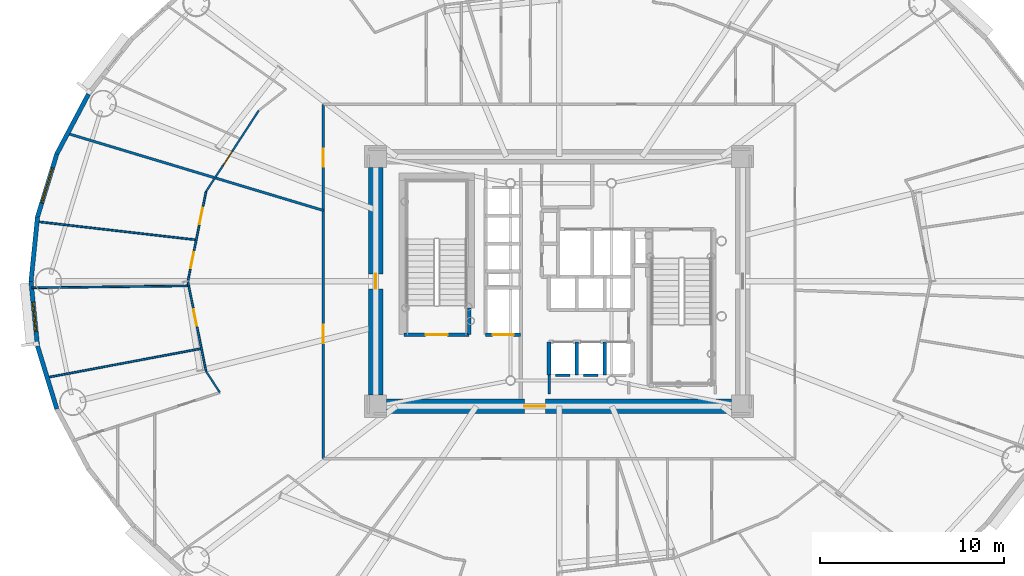
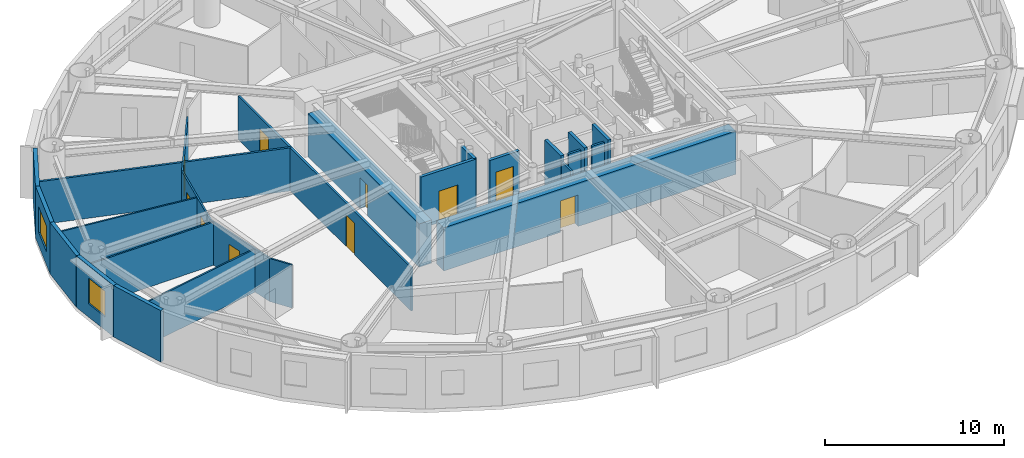
# One storey, part 9 of 19: 26 walls, 10 doors, 2 windows, 12 openings.
"""IFC4 building model written with IfcOpenShell, lengths in metres."""

import ifcopenshell
import ifcopenshell.guid

model = None  # the IFC model being written
_history = None  # IfcOwnerHistory: only IFC2X3 demands one
_inside = {}  # id of a spatial element -> (the spatial element, [elements in it])
_under = {}  # id of a project, library or spatial element -> (it, [spatial elements below it])
_declared = {}  # id of a project -> (the project, [libraries it declares])
_typed = {}  # id of a type object -> (the type object, [elements of that type])
_made_of = {}  # id of a material, layer set ... -> (it, [elements and type objects made of it])


def new_model(schema):
    """Start an empty IFC model of exactly this schema.

    Asked for "IFC4X3", IfcOpenShell would pick the latest addendum, in which some entities
    have other attributes; the version numbers below select the first issue.
    IFC2X3 requires an IfcOwnerHistory on every rooted entity: one is made here for all.
    """
    global model, _history
    if schema == "IFC4X3":
        model = ifcopenshell.file(schema_version=(4, 3, 0, 0))
    else:
        model = ifcopenshell.file(schema=schema)
    _inside.clear()
    _under.clear()
    _declared.clear()
    _typed.clear()
    _made_of.clear()
    _history = None
    if model.schema == "IFC2X3":
        org = make("IfcOrganization", Name="unknown")
        user = make(
            "IfcPersonAndOrganization",
            ThePerson=make("IfcPerson", FamilyName="unknown"),
            TheOrganization=org,
        )
        app = make(
            "IfcApplication",
            ApplicationDeveloper=org,
            Version="unknown",
            ApplicationFullName="unknown",
            ApplicationIdentifier="unknown",
        )
        _history = make(
            "IfcOwnerHistory",
            OwningUser=user,
            OwningApplication=app,
            ChangeAction="ADDED",
            CreationDate=0,
        )
    return model


def make(cls, **values):
    """One entity of the class cls with the attributes given. An attribute that is None is left unset."""
    return model.create_entity(
        cls, **{name: value for name, value in values.items() if value is not None}
    )


def rooted(cls, **values):
    """An entity with a GlobalId (a new one), such as an element, a storey or a relation."""
    return make(cls, GlobalId=ifcopenshell.guid.new(), OwnerHistory=_history, **values)


def si_unit(unit_type, name, prefix=None):
    """IfcSIUnit, for example si_unit("LENGTHUNIT", "METRE", prefix="MILLI")."""
    return make("IfcSIUnit", UnitType=unit_type, Prefix=prefix, Name=name)


def assignment(units):
    """IfcUnitAssignment: the units of a project."""
    return None if units is None else make("IfcUnitAssignment", Units=units)


def point(xyz):
    """IfcCartesianPoint."""
    return None if xyz is None else make("IfcCartesianPoint", Coordinates=xyz)


def direction(xyz):
    """IfcDirection."""
    return None if xyz is None else make("IfcDirection", DirectionRatios=xyz)


def frame(location, z_axis=None, x_axis=None):
    """IfcAxis2Placement3D, a coordinate frame: its origin and axes. An axis left out is left unset."""
    return make(
        "IfcAxis2Placement3D",
        Location=point(location),
        Axis=direction(z_axis),
        RefDirection=direction(x_axis),
    )


def frame_2d(location, x_axis=None):
    """IfcAxis2Placement2D, a coordinate frame in the plane: its origin and x axis."""
    return make(
        "IfcAxis2Placement2D", Location=point(location), RefDirection=direction(x_axis)
    )


def origin():
    """The frame at (0, 0, 0) with its axes left unset."""
    return frame((0.0, 0.0, 0.0))


def origin_2d():
    """The frame at (0, 0) in the plane with its x axis left unset."""
    return frame_2d((0.0, 0.0))


def place(relative_to, where):
    """IfcLocalPlacement: puts the frame where relative to a parent placement (None: the world)."""
    return make(
        "IfcLocalPlacement", PlacementRelTo=relative_to, RelativePlacement=where
    )


def context(
    kind, dimensions, precision=None, world=None, true_north=None, identifier=None
):
    """IfcGeometricRepresentationContext, for example the 3D "Model" context."""
    return make(
        "IfcGeometricRepresentationContext",
        ContextIdentifier=identifier,
        ContextType=kind,
        CoordinateSpaceDimension=dimensions,
        Precision=precision,
        WorldCoordinateSystem=world,
        TrueNorth=true_north,
    )


def subcontext(parent, identifier, kind, view, scale=None):
    """IfcGeometricRepresentationSubContext, for example "Body" below "Model"."""
    return make(
        "IfcGeometricRepresentationSubContext",
        ContextIdentifier=identifier,
        ContextType=kind,
        ParentContext=parent,
        TargetScale=scale,
        TargetView=view,
    )


def project(units=None, contexts=None):
    """IfcProject with its units and contexts."""
    return rooted(
        "IfcProject",
        Name="project",
        RepresentationContexts=contexts,
        UnitsInContext=assignment(units),
    )


def spatial(cls, under=None, at=None, **own):
    """A site, building, storey or space (cls), placed at a placement, below another one or the project."""
    s = rooted(cls, ObjectPlacement=at, **own)
    if under is not None:
        _under.setdefault(under.id(), (under, []))[1].append(s)
    return s


def profile(cls, at=None, kind="AREA", **sizes):
    """A parametric profile (cls). Its sizes go by their IFC names, for example OverallWidth=200.0."""
    return make(cls, ProfileType=kind, Position=at, **sizes)


def rectangle(**sizes):
    """IfcRectangleProfileDef."""
    return profile("IfcRectangleProfileDef", **sizes)


def extrude(swept, where, along, depth):
    """IfcExtrudedAreaSolid: the profile swept, set in the frame where, extruded along a direction by depth."""
    return make(
        "IfcExtrudedAreaSolid",
        SweptArea=swept,
        Position=where,
        ExtrudedDirection=direction(along),
        Depth=depth,
    )


def shape(context_of_items, identifier, shape_type, items):
    """IfcShapeRepresentation: the items that make up one representation, for example the "Body"."""
    return make(
        "IfcShapeRepresentation",
        ContextOfItems=context_of_items,
        RepresentationIdentifier=identifier,
        RepresentationType=shape_type,
        Items=items,
    )


def source(mapping_origin, context_of_items, identifier, shape_type, items):
    """IfcRepresentationMap: a shape defined once, which mapped items show again and again."""
    return make(
        "IfcRepresentationMap",
        MappingOrigin=mapping_origin,
        MappedRepresentation=shape(context_of_items, identifier, shape_type, items),
    )


def transform(
    local_origin,
    x_axis=None,
    y_axis=None,
    z_axis=None,
    scale=None,
    scale2=None,
    scale3=None,
    uniform=True,
):
    """IfcCartesianTransformationOperator3D, or its non-uniform kind. x_axis, y_axis, z_axis: its Axis1, 2, 3."""
    if uniform:
        return make(
            "IfcCartesianTransformationOperator3D",
            Axis1=direction(x_axis),
            Axis2=direction(y_axis),
            LocalOrigin=point(local_origin),
            Scale=scale,
            Axis3=direction(z_axis),
        )
    return make(
        "IfcCartesianTransformationOperator3DnonUniform",
        Axis1=direction(x_axis),
        Axis2=direction(y_axis),
        LocalOrigin=point(local_origin),
        Scale=scale,
        Axis3=direction(z_axis),
        Scale2=scale2,
        Scale3=scale3,
    )


def mapped(mapping_source, mapping_target):
    """IfcMappedItem: shows the shape of a source again, moved by a transform."""
    return make(
        "IfcMappedItem", MappingSource=mapping_source, MappingTarget=mapping_target
    )


def material(Name=None, Category=None):
    """IfcMaterial."""
    return make("IfcMaterial", Name=Name, Category=Category)


def layer(
    of_material, thickness, ventilated=None, Name=None, Category=None, Priority=None
):
    """IfcMaterialLayer: one layer of a wall or slab, of a material (None: an air gap)."""
    return make(
        "IfcMaterialLayer",
        Material=of_material,
        LayerThickness=thickness,
        IsVentilated=ventilated,
        Name=Name,
        Category=Category,
        Priority=Priority,
    )


def layer_set(layers, Name=None):
    """IfcMaterialLayerSet."""
    return make("IfcMaterialLayerSet", MaterialLayers=layers, LayerSetName=Name)


def made_of(thing, what):
    """Note that an element or type object is made of a material, layer set ...; save() writes the relation."""
    if what is not None:
        _made_of.setdefault(what.id(), (what, []))[1].append(thing)
    return thing


def type_object(cls, material=None, **own):
    """A type object (cls), such as IfcWallType, which elements share."""
    return made_of(rooted(cls, **own), material)


def element(
    cls,
    number,
    at=None,
    inside=None,
    cuts=None,
    type_object=None,
    material=None,
    context=None,
    identifier="Body",
    shape_type=None,
    held_by="IfcProductDefinitionShape",
    body=None,
    shapes=None,
    **own,
):
    """One element of the class cls, such as IfcWall. Its Tag is "e" and its number.

    at: its placement. inside: the storey or other place that contains it. cuts: it is an
    opening in that element (IfcRelVoidsElement). A single representation is given by context,
    identifier, shape_type and body (its items); several are given by shapes. held_by: the class
    of the entity that holds the representations. save() writes the other relations.
    """
    e = rooted(cls, Tag="e%d" % number, ObjectPlacement=at, **own)
    if body is not None:
        shapes = [shape(context, identifier, shape_type, body)]
    if shapes is not None:
        e.Representation = make(held_by, Representations=shapes)
    if inside is not None:
        _inside.setdefault(inside.id(), (inside, []))[1].append(e)
    if cuts is not None:
        rooted(
            "IfcRelVoidsElement", RelatingBuildingElement=cuts, RelatedOpeningElement=e
        )
    if type_object is not None:
        _typed.setdefault(type_object.id(), (type_object, []))[1].append(e)
    return made_of(e, material)


def fill(opening, filler):
    """IfcRelFillsElement: the door or window that sits in an opening."""
    return rooted(
        "IfcRelFillsElement",
        RelatingOpeningElement=opening,
        RelatedBuildingElement=filler,
    )


def aggregate(whole, parts):
    """IfcRelAggregates: a whole, such as a stair, and the parts it consists of."""
    return rooted("IfcRelAggregates", RelatingObject=whole, RelatedObjects=parts)


def save(model, path):
    """Write the relations noted so far, then the file.

    IfcRelAggregates (storeys below a building ...), IfcRelContainedInSpatialStructure (elements
    in a storey), IfcRelDefinesByType, IfcRelAssociatesMaterial and IfcRelDeclares: one each for
    every whole, place, type object, material and project.
    """
    for whole, parts in _under.values():
        aggregate(whole, parts)
    for where, things in _inside.values():
        rooted(
            "IfcRelContainedInSpatialStructure",
            RelatedElements=things,
            RelatingStructure=where,
        )
    for kind, things in _typed.values():
        rooted("IfcRelDefinesByType", RelatedObjects=things, RelatingType=kind)
    for what, things in _made_of.values():
        rooted("IfcRelAssociatesMaterial", RelatedObjects=things, RelatingMaterial=what)
    for by, libraries in _declared.values():
        rooted("IfcRelDeclares", RelatingContext=by, RelatedDefinitions=libraries)
    model.write(path)


model = new_model("IFC4")

# Units and contexts
model_context = context("Model", 3, precision=1e-05, world=origin(), true_north=direction((0.0, 1.0)))
body_context = subcontext(model_context, "Body", "Model", "MODEL_VIEW")
ifc_project = project(units=[si_unit("LENGTHUNIT", "METRE"), si_unit("AREAUNIT", "SQUARE_METRE"), si_unit("VOLUMEUNIT", "CUBIC_METRE"), si_unit("PLANEANGLEUNIT", "RADIAN"), si_unit("MASSUNIT", "GRAM", prefix="KILO")], contexts=[model_context])

# Site, building, storey
site_placement = place(None, origin())
site = spatial("IfcSite", under=ifc_project, at=site_placement, CompositionType="ELEMENT")
building_placement = place(site_placement, origin())
building = spatial("IfcBuilding", under=site, at=building_placement, Name="Linh Dai School and Residence Tower", CompositionType="ELEMENT")
storey_placement = place(building_placement, frame((0.0, 0.0, 112.199951171875)))
storey = spatial("IfcBuildingStorey", under=building, at=storey_placement, Name="L26", CompositionType="ELEMENT", Elevation=112.199951171875)

# Wall
ifc_material_1 = material(Name="Precast Concrete B45 (C35/45)", Category="concrete")
ifc_layer_1 = layer(ifc_material_1, 0.239990234375)
ifc_layer_set_1 = layer_set([ifc_layer_1], Name="Precast Concrete B45 (C35/45)")
wall_type_1 = type_object("IfcWallType", Name="EW-TC-240", PredefinedType="SOLIDWALL", material=ifc_layer_set_1)
wall_1_placement = place(storey_placement, frame((8.6298828125, 33.945068359375, 0.0), z_axis=(0.0, 0.0, 1.0), x_axis=(0.467614004126, 0.883932770716, 0.0)))
element("IfcWall", 1, at=wall_1_placement, inside=storey, type_object=wall_type_1, Name="L26 Terracotta Exterior Wall 18", PredefinedType="SOLIDWALL", context=body_context, shape_type="SweptSolid", body=[
    extrude(rectangle(XDim=3.688720703125, YDim=0.239990234375, at=frame_2d((1.84423828125, 0.0))), origin(), (0.0, 0.0, 1.0), 3.5),
])

# Wall, opening, window
wall_2_placement = place(storey_placement, frame((7.578369140625, 30.515380859375, 0.0), z_axis=(0.0, 0.0, 1.0), x_axis=(0.293124431344, 0.956074300329, 0.0)))
wall_2 = element("IfcWall", 2, at=wall_2_placement, inside=storey, type_object=wall_type_1, Name="L26 Terracotta Exterior Wall 19", PredefinedType="SOLIDWALL", context=body_context, shape_type="SweptSolid", body=[
    extrude(rectangle(XDim=3.587158203125, YDim=0.239990234375, at=frame_2d((1.79345703125, 0.0))), origin(), (0.0, 0.0, 1.0), 3.5),
])
opening_1_placement = place(wall_2_placement, frame((0.793701171875, 0.0, 0.89990234375)))
opening_1 = element("IfcOpeningElement", 3, at=opening_1_placement, cuts=wall_2, Name="Opening W1", PredefinedType="OPENING", context=body_context, shape_type="SweptSolid", body=[
    extrude(rectangle(XDim=2.0, YDim=1.75, at=origin_2d()), frame((1.0, 0.1298828125, 0.875), z_axis=(0.0, -1.0, 0.0), x_axis=(1.0, 0.0, 0.0)), (0.0, 0.0, 1.0), 0.260009765625),
])
ifc_material_2 = material(Name="Double Low-E Insulated Glazing", Category="glass")
window_type_1 = type_object("IfcWindowType", Name="WN-RES-2000x1750", PartitioningType="DOUBLE_PANEL_VERTICAL", PredefinedType="WINDOW", material=ifc_material_2)
shared_shape_1 = source(origin(), body_context, "Body", "SweptSolid", [
    extrude(rectangle(XDim=2.0, YDim=1.75, at=origin_2d()), frame((1.0, 0.030029296875, 0.875), z_axis=(0.0, -1.0, 0.0), x_axis=(1.0, 0.0, 0.0)), (0.0, 0.0, 1.0), 0.06005859375),
])
window_1_placement = place(opening_1_placement, origin())
window_1 = element("IfcWindow", 4, at=window_1_placement, inside=storey, type_object=window_type_1, Name="L26 Exterior Window 19.1", OverallHeight=1.75, OverallWidth=2.0, PartitioningType="DOUBLE_PANEL_VERTICAL", PredefinedType="WINDOW", context=body_context, shape_type="MappedRepresentation", body=[
    mapped(shared_shape_1, transform((0.0, 0.0, 0.0), x_axis=(1.0, 0.0, 0.0), y_axis=(0.0, 1.0, 0.0), z_axis=(0.0, 0.0, 1.0), scale=1.0)),
])
fill(opening_1, window_1)

# Wall
wall_3_placement = place(storey_placement, frame((7.22509765625, 27.0, 0.0), z_axis=(0.0, 0.0, 1.0), x_axis=(0.099989468229, 0.994988495533, 0.0)))
element("IfcWall", 5, at=wall_3_placement, inside=storey, type_object=wall_type_1, Name="L26 Terracotta Exterior Wall 20", PredefinedType="SOLIDWALL", context=body_context, shape_type="SweptSolid", body=[
    extrude(rectangle(XDim=3.533203125, YDim=0.239990234375, at=frame_2d((1.7666015625, 0.0))), origin(), (0.0, 0.0, 1.0), 3.5),
])

# Wall, opening, window
wall_4_placement = place(storey_placement, frame((7.578369140625, 23.484619140625, 0.0), z_axis=(0.0, 0.0, 1.0), x_axis=(-0.099989468229, 0.994988495533, 0.0)))
wall_4 = element("IfcWall", 6, at=wall_4_placement, inside=storey, type_object=wall_type_1, Name="L26 Terracotta Exterior Wall 21", PredefinedType="SOLIDWALL", context=body_context, shape_type="SweptSolid", body=[
    extrude(rectangle(XDim=3.533203125, YDim=0.239990234375, at=frame_2d((1.7666015625, 0.0))), origin(), (0.0, 0.0, 1.0), 3.5),
])
opening_2_placement = place(wall_4_placement, frame((0.7939453125, 0.0, 0.89990234375)))
opening_2 = element("IfcOpeningElement", 7, at=opening_2_placement, cuts=wall_4, Name="Opening W2", PredefinedType="OPENING", context=body_context, shape_type="SweptSolid", body=[
    extrude(rectangle(XDim=1.60009765625, YDim=1.75, at=origin_2d()), frame((0.800048828125, 0.1298828125, 0.875), z_axis=(0.0, -1.0, 0.0), x_axis=(1.0, 0.0, 0.0)), (0.0, 0.0, 1.0), 0.260009765625),
])
window_type_2 = type_object("IfcWindowType", Name="WN-RES-1600x1750", PartitioningType="DOUBLE_PANEL_VERTICAL", PredefinedType="WINDOW", material=ifc_material_2)
shared_shape_2 = source(origin(), body_context, "Body", "SweptSolid", [
    extrude(rectangle(XDim=1.60009765625, YDim=1.75, at=origin_2d()), frame((0.800048828125, 0.030029296875, 0.875), z_axis=(0.0, -1.0, 0.0), x_axis=(1.0, 0.0, 0.0)), (0.0, 0.0, 1.0), 0.06005859375),
])
window_2_placement = place(opening_2_placement, origin())
window_2 = element("IfcWindow", 8, at=window_2_placement, inside=storey, type_object=window_type_2, Name="L26 Exterior Window 21.1", OverallHeight=1.75, OverallWidth=1.60009765625, PartitioningType="DOUBLE_PANEL_VERTICAL", PredefinedType="WINDOW", context=body_context, shape_type="MappedRepresentation", body=[
    mapped(shared_shape_2, transform((0.0, 0.0, 0.0), x_axis=(1.0, 0.0, 0.0), y_axis=(0.0, 1.0, 0.0), z_axis=(0.0, 0.0, 1.0), scale=1.0)),
])
fill(opening_2, window_2)

# Walls
wall_5_placement = place(storey_placement, frame((8.6298828125, 20.054931640625, 0.0), z_axis=(0.0, 0.0, 1.0), x_axis=(-0.293124431344, 0.956074300329, 0.0)))
element("IfcWall", 9, at=wall_5_placement, inside=storey, type_object=wall_type_1, Name="L26 Terracotta Exterior Wall 22", PredefinedType="SOLIDWALL", context=body_context, shape_type="SweptSolid", body=[
    extrude(rectangle(XDim=3.587158203125, YDim=0.239990234375, at=frame_2d((1.79345703125, 0.0))), origin(), (0.0, 0.0, 1.0), 3.5),
])
ifc_material_3 = material(Name="Autoclaved Aerated Concrete Blockwork", Category="masonry")
ifc_layer_2 = layer(ifc_material_3, 0.135009765625)
ifc_layer_set_2 = layer_set([ifc_layer_2], Name="Autoclaved Aerated Concrete Blockwork")
wall_type_2 = type_object("IfcWallType", Name="IW-CORR-135-EI90", PredefinedType="PARTITIONING", material=ifc_layer_set_2)
wall_6_placement = place(storey_placement, frame((9.21484375, 35.0615234375, 0.0), z_axis=(0.0, 0.0, 1.0), x_axis=(0.957569176287, -0.288203526393, 0.0)))
element("IfcWall", 10, at=wall_6_placement, inside=storey, type_object=wall_type_2, Name="L26 Interior Partition Wall 004", PredefinedType="PARTITIONING", context=body_context, shape_type="SweptSolid", body=[
    extrude(rectangle(XDim=14.552490234375, YDim=0.135009765625, at=frame_2d((7.2763671875, 0.0))), origin(), (0.0, 0.0, 1.0), 2.93505859375),
])

# Wall, openings, doors
wall_7_placement = place(storey_placement, frame((23.14990234375, 17.35009765625, 0.0), z_axis=(0.0, 0.0, 1.0), x_axis=(0.0, 1.0, 0.0)))
wall_7 = element("IfcWall", 11, at=wall_7_placement, inside=storey, type_object=wall_type_2, Name="L26 Interior Partition Wall 020", PredefinedType="PARTITIONING", context=body_context, shape_type="SweptSolid", body=[
    extrude(rectangle(XDim=19.2998046875, YDim=0.135009765625, at=frame_2d((9.64990234375, 0.0))), origin(), (0.0, 0.0, 1.0), 2.93505859375),
])
opening_3_placement = place(wall_7_placement, frame((15.888671875, 0.0, 0.0)))
opening_3 = element("IfcOpeningElement", 12, at=opening_3_placement, cuts=wall_7, Name="Opening D03", PredefinedType="OPENING", context=body_context, shape_type="SweptSolid", body=[
    extrude(rectangle(XDim=1.0, YDim=2.14990234375, at=origin_2d()), frame((0.5, 0.07763671875, 1.074951171875), z_axis=(0.0, -1.0, 0.0), x_axis=(1.0, 0.0, 0.0)), (0.0, 0.0, 1.0), 0.155029296875),
])
opening_4_placement = place(wall_7_placement, frame((6.27880859375, 0.0, 0.0)))
opening_4 = element("IfcOpeningElement", 13, at=opening_4_placement, cuts=wall_7, Name="Opening D03", PredefinedType="OPENING", context=body_context, shape_type="SweptSolid", body=[
    extrude(rectangle(XDim=1.0, YDim=2.14990234375, at=origin_2d()), frame((0.5, 0.07763671875, 1.074951171875), z_axis=(0.0, -1.0, 0.0), x_axis=(1.0, 0.0, 0.0)), (0.0, 0.0, 1.0), 0.155029296875),
])
ifc_material_4 = material(Name="Fire-Rated Solid Timber Entrance Door", Category="wood")
door_type_1 = type_object("IfcDoorType", Name="DR-FLAT-1000x2150-FD60S", OperationType="NOTDEFINED", PredefinedType="DOOR", material=ifc_material_4)
shared_shape_3 = source(origin(), body_context, "Body", "SweptSolid", [
    extrude(rectangle(XDim=1.0, YDim=2.14990234375, at=origin_2d()), frame((0.5, 0.02490234375, 1.074951171875), z_axis=(0.0, -1.0, 0.0), x_axis=(1.0, 0.0, 0.0)), (0.0, 0.0, 1.0), 0.050048828125),
])
door_1_placement = place(opening_3_placement, origin())
door_1 = element("IfcDoor", 14, at=door_1_placement, inside=storey, type_object=door_type_1, Name="L26 U2602 Apartment Entrance Door", OperationType="SINGLE_SWING_LEFT", OverallHeight=2.14990234375, OverallWidth=1.0, PredefinedType="DOOR", context=body_context, shape_type="MappedRepresentation", body=[
    mapped(shared_shape_3, transform((0.0, 0.0, 0.0), x_axis=(1.0, 0.0, 0.0), y_axis=(0.0, 1.0, 0.0), z_axis=(0.0, 0.0, 1.0), scale=1.0)),
])
fill(opening_3, door_1)
door_2_placement = place(opening_4_placement, origin())
door_2 = element("IfcDoor", 15, at=door_2_placement, inside=storey, type_object=door_type_1, Name="L26 U2603 Apartment Entrance Door", OperationType="SINGLE_SWING_LEFT", OverallHeight=2.14990234375, OverallWidth=1.0, PredefinedType="DOOR", context=body_context, shape_type="MappedRepresentation", body=[
    mapped(shared_shape_3, transform((0.0, 0.0, 0.0), x_axis=(1.0, 0.0, 0.0), y_axis=(0.0, 1.0, 0.0), z_axis=(0.0, 0.0, 1.0), scale=1.0)),
])
fill(opening_4, door_2)

# Walls
wall_8_placement = place(storey_placement, frame((36.60009765625, 21.89990234375, 0.0), z_axis=(0.0, 0.0, 1.0), x_axis=(-1.0, 0.0, 0.0)))
element("IfcWall", 16, at=wall_8_placement, inside=storey, type_object=wall_type_2, Name="L26 Interior Partition Wall 102", PredefinedType="PARTITIONING", context=body_context, shape_type="SweptSolid", body=[
    extrude(rectangle(XDim=0.7900390625, YDim=0.135009765625, at=frame_2d((0.39501953125, 0.0))), origin(), (0.0, 0.0, 1.0), 3.5),
])
wall_9_placement = place(storey_placement, frame((38.1201171875, 21.89990234375, 0.0), z_axis=(0.0, 0.0, 1.0), x_axis=(-1.0, 0.0, 0.0)))
element("IfcWall", 17, at=wall_9_placement, inside=storey, type_object=wall_type_2, Name="L26 Interior Partition Wall 103", PredefinedType="PARTITIONING", context=body_context, shape_type="SweptSolid", body=[
    extrude(rectangle(XDim=0.800048828125, YDim=0.135009765625, at=frame_2d((0.39990234375, 0.0))), origin(), (0.0, 0.0, 1.0), 3.5),
])
wall_10_placement = place(storey_placement, frame((35.449951171875, 21.889892578125, 0.0), z_axis=(0.0, 0.0, 1.0), x_axis=(0.0, -1.0, 0.0)))
element("IfcWall", 18, at=wall_10_placement, inside=storey, type_object=wall_type_2, Name="L26 Interior Partition Wall 109", PredefinedType="PARTITIONING", context=body_context, shape_type="SweptSolid", body=[
    extrude(rectangle(XDim=1.02978515625, YDim=0.135009765625, at=frame_2d((0.514892578125, 0.0))), origin(), (0.0, 0.0, 1.0), 3.0849609375),
])

# Wall, opening, door
ifc_material_5 = material(Name="Concrete B45 (C35/45)", Category="concrete")
ifc_layer_3 = layer(ifc_material_5, 0.199951171875)
ifc_layer_set_3 = layer_set([ifc_layer_3], Name="Concrete B45 (C35/45)")
wall_type_3 = type_object("IfcWallType", Name="IW-SHAFT-200-EI120", PredefinedType="PARTITIONING", material=ifc_layer_set_3)
wall_11_placement = place(storey_placement, frame((27.56005859375, 24.10009765625, 0.0), z_axis=(0.0, 0.0, 1.0), x_axis=(1.0, 0.0, 0.0)))
wall_11 = element("IfcWall", 19, at=wall_11_placement, inside=storey, type_object=wall_type_3, Name="L26 Interior Partition Wall 025", PredefinedType="PARTITIONING", context=body_context, shape_type="SweptSolid", body=[
    extrude(rectangle(XDim=3.5400390625, YDim=0.199951171875, at=frame_2d((1.77001953125, 0.0))), origin(), (0.0, 0.0, 1.0), 3.5),
])
opening_5_placement = place(wall_11_placement, frame((1.169921875, 0.0, 0.0)))
opening_5 = element("IfcOpeningElement", 20, at=opening_5_placement, cuts=wall_11, Name="Opening D01", PredefinedType="OPENING", context=body_context, shape_type="SweptSolid", body=[
    extrude(rectangle(XDim=1.199951171875, YDim=2.14990234375, at=origin_2d()), frame((0.60009765625, 0.10986328125, 1.074951171875), z_axis=(0.0, -1.0, 0.0), x_axis=(1.0, 0.0, 0.0)), (0.0, 0.0, 1.0), 0.219970703125),
])
ifc_material_6 = material(Name="Fire-Rated Steel Door Leaf", Category="steel")
door_type_2 = type_object("IfcDoorType", Name="DR-STAIR-1200x2150-FD90S", OperationType="NOTDEFINED", PredefinedType="DOOR", material=ifc_material_6)
shared_shape_4 = source(origin(), body_context, "Body", "SweptSolid", [
    extrude(rectangle(XDim=1.199951171875, YDim=2.14990234375, at=origin_2d()), frame((0.60009765625, 0.02490234375, 1.074951171875), z_axis=(0.0, -1.0, 0.0), x_axis=(1.0, 0.0, 0.0)), (0.0, 0.0, 1.0), 0.050048828125),
])
door_3_placement = place(opening_5_placement, origin())
door_3 = element("IfcDoor", 21, at=door_3_placement, inside=storey, type_object=door_type_2, Name="L26 Core Smokeproof Exit Stair ST1 Door", OperationType="SINGLE_SWING_RIGHT", OverallHeight=2.14990234375, OverallWidth=1.199951171875, PredefinedType="DOOR", context=body_context, shape_type="MappedRepresentation", body=[
    mapped(shared_shape_4, transform((0.0, 0.0, 0.0), x_axis=(1.0, 0.0, 0.0), y_axis=(0.0, 1.0, 0.0), z_axis=(0.0, 0.0, 1.0), scale=1.0)),
])
fill(opening_5, door_3)

# Wall
wall_12_placement = place(storey_placement, frame((31.10009765625, 24.10009765625, 0.0), z_axis=(0.0, 0.0, 1.0), x_axis=(0.0, 1.0, 0.0)))
element("IfcWall", 22, at=wall_12_placement, inside=storey, type_object=wall_type_3, Name="L26 Interior Partition Wall 032", PredefinedType="PARTITIONING", context=body_context, shape_type="SweptSolid", body=[
    extrude(rectangle(XDim=1.43994140625, YDim=0.199951171875, at=frame_2d((0.719970703125, 0.0))), origin(), (0.0, 0.0, 1.0), 3.5),
])

# Wall, opening, door
wall_13_placement = place(storey_placement, frame((32.0, 24.10009765625, 0.0), z_axis=(0.0, 0.0, 1.0), x_axis=(1.0, 0.0, 0.0)))
wall_13 = element("IfcWall", 23, at=wall_13_placement, inside=storey, type_object=wall_type_3, Name="L26 Interior Partition Wall 034", PredefinedType="PARTITIONING", context=body_context, shape_type="SweptSolid", body=[
    extrude(rectangle(XDim=1.89990234375, YDim=0.199951171875, at=frame_2d((0.949951171875, 0.0))), origin(), (0.0, 0.0, 1.0), 3.0849609375),
])
opening_6_placement = place(wall_13_placement, frame((0.375, 0.0, 0.0)))
opening_6 = element("IfcOpeningElement", 24, at=opening_6_placement, cuts=wall_13, Name="Opening LD-FF2", PredefinedType="OPENING", context=body_context, shape_type="SweptSolid", body=[
    extrude(rectangle(XDim=1.14990234375, YDim=2.14990234375, at=origin_2d()), frame((0.574951171875, 0.10986328125, 1.074951171875), z_axis=(0.0, -1.0, 0.0), x_axis=(1.0, 0.0, 0.0)), (0.0, 0.0, 1.0), 0.219970703125),
])
ifc_material_7 = material(Name="Fire-Rated Stainless Steel Firefighting Lift Door", Category="steel")
door_type_3 = type_object("IfcDoorType", Name="DR-LD-FF-1150x2150-FD120", OperationType="DOUBLE_DOOR_SLIDING", PredefinedType="USERDEFINED", material=ifc_material_7)
shared_shape_5 = source(origin(), body_context, "Body", "SweptSolid", [
    extrude(rectangle(XDim=1.14990234375, YDim=2.14990234375, at=origin_2d()), frame((0.574951171875, 0.02490234375, 1.074951171875), z_axis=(0.0, -1.0, 0.0), x_axis=(1.0, 0.0, 0.0)), (0.0, 0.0, 1.0), 0.050048828125),
])
door_4_placement = place(opening_6_placement, origin())
door_4 = element("IfcDoor", 25, at=door_4_placement, inside=storey, type_object=door_type_3, Name="L26 Lift FF2 Sliding Landing Door", ObjectType="LANDING DOOR", OperationType="DOUBLE_DOOR_SLIDING", OverallHeight=2.14990234375, OverallWidth=1.14990234375, PredefinedType="USERDEFINED", context=body_context, shape_type="MappedRepresentation", body=[
    mapped(shared_shape_5, transform((0.0, 0.0, 0.0), x_axis=(1.0, 0.0, 0.0), y_axis=(0.0, 1.0, 0.0), z_axis=(0.0, 0.0, 1.0), scale=1.0)),
])
fill(opening_6, door_4)

# Walls
for number, where, z_axis, x_axis, name in (
    (26, (35.449951171875, 21.89990234375, 0.0), (0.0, 0.0, 1.0), (0.0, 1.0, 0.0), "L26 Interior Partition Wall 048"),
    (27, (36.9599609375, 21.89990234375, 0.0), (0.0, 0.0, 1.0), (0.0, 1.0, 0.0), "L26 Interior Partition Wall 059"),
    (28, (38.47998046875, 21.89990234375, 0.0), (0.0, 0.0, 1.0), (0.0, 1.0, 0.0), "L26 Interior Partition Wall 065"),
):
    element("IfcWall", number, at=place(storey_placement, frame(where, z_axis=z_axis, x_axis=x_axis)), inside=storey, type_object=wall_type_3, Name=name, PredefinedType="PARTITIONING", context=body_context, shape_type="SweptSolid", body=[
        extrude(rectangle(XDim=1.800048828125, YDim=0.199951171875, at=frame_2d((0.89990234375, 0.0))), origin(), (0.0, 0.0, 1.0), 3.5),
    ])
ifc_material_8 = material(Name="Gypsum Plasterboard Acoustic Stud Partition", Category="masonry")
ifc_layer_4 = layer(ifc_material_8, 0.10009765625)
ifc_layer_set_4 = layer_set([ifc_layer_4], Name="Gypsum Plasterboard Acoustic Stud Partition")
wall_type_4 = type_object("IfcWallType", Name="IW-UNIT-100", PredefinedType="PARTITIONING", material=ifc_layer_set_4)
wall_14_placement = place(storey_placement, frame((7.254638671875, 26.655029296875, 0.0), z_axis=(0.0, 0.0, 1.0), x_axis=(0.999927994094, 0.012000276098, 0.0)))
element("IfcWall", 29, at=wall_14_placement, inside=storey, type_object=wall_type_4, Name="L26 Interior Partition Wall 001", PredefinedType="PARTITIONING", context=body_context, shape_type="SweptSolid", body=[
    extrude(rectangle(XDim=8.565185546875, YDim=0.10009765625, at=frame_2d((4.28271484375, 0.0))), origin(), (0.0, 0.0, 1.0), 2.93505859375),
])
wall_15_placement = place(storey_placement, frame((7.547607421875, 30.25927734375, 0.0), z_axis=(0.0, 0.0, 1.0), x_axis=(0.993502465776, -0.11381059044, 0.0)))
element("IfcWall", 30, at=wall_15_placement, inside=storey, type_object=wall_type_4, Name="L26 Interior Partition Wall 002", PredefinedType="PARTITIONING", context=body_context, shape_type="SweptSolid", body=[
    extrude(rectangle(XDim=8.7373046875, YDim=0.10009765625, at=frame_2d((4.36865234375, 0.0))), origin(), (0.0, 0.0, 1.0), 2.93505859375),
])
wall_16_placement = place(storey_placement, frame((8.100341796875, 21.764892578125, 0.0), z_axis=(0.0, 0.0, 1.0), x_axis=(0.982848598081, 0.184414297849, 0.0)))
element("IfcWall", 31, at=wall_16_placement, inside=storey, type_object=wall_type_4, Name="L26 Interior Partition Wall 003", PredefinedType="PARTITIONING", context=body_context, shape_type="SweptSolid", body=[
    extrude(rectangle(XDim=8.55615234375, YDim=0.10009765625, at=frame_2d((4.278076171875, 0.0))), origin(), (0.0, 0.0, 1.0), 2.93505859375),
])
wall_17_placement = place(storey_placement, frame((15.77001953125, 27.0, 0.0), z_axis=(0.0, 0.0, 1.0), x_axis=(0.198585481658, -0.980083571169, 0.0)))
element("IfcWall", 32, at=wall_17_placement, inside=storey, type_object=wall_type_4, Name="L26 Interior Partition Wall 011", PredefinedType="PARTITIONING", context=body_context, shape_type="SweptSolid", body=[
    extrude(rectangle(XDim=0.2470703125, YDim=0.10009765625, at=frame_2d((0.12353515625, 0.0))), origin(), (0.0, 0.0, 1.0), 2.93505859375),
])

# Wall, openings, doors
wall_18_placement = place(storey_placement, frame((15.77001953125, 27.0, 0.0), z_axis=(0.0, 0.0, 1.0), x_axis=(0.19822142127, 0.980157267049, 0.0)))
wall_18 = element("IfcWall", 33, at=wall_18_placement, inside=storey, type_object=wall_type_4, Name="L26 Interior Partition Wall 012", PredefinedType="PARTITIONING", context=body_context, shape_type="SweptSolid", body=[
    extrude(rectangle(XDim=4.994384765625, YDim=0.10009765625, at=frame_2d((2.4970703125, 0.0))), origin(), (0.0, 0.0, 1.0), 2.93505859375),
])
opening_7_placement = place(wall_18_placement, frame((3.1826171875, 0.0, 0.0)))
opening_7 = element("IfcOpeningElement", 34, at=opening_7_placement, cuts=wall_18, Name="Opening D05", PredefinedType="OPENING", context=body_context, shape_type="SweptSolid", body=[
    extrude(rectangle(XDim=0.89990234375, YDim=2.10009765625, at=origin_2d()), frame((0.449951171875, 0.06005859375, 1.050048828125), z_axis=(0.0, -1.0, 0.0), x_axis=(1.0, 0.0, 0.0)), (0.0, 0.0, 1.0), 0.1201171875),
])
opening_8_placement = place(wall_18_placement, frame((0.725341796875, 0.0, 0.0)))
opening_8 = element("IfcOpeningElement", 35, at=opening_8_placement, cuts=wall_18, Name="Opening D05", PredefinedType="OPENING", context=body_context, shape_type="SweptSolid", body=[
    extrude(rectangle(XDim=0.89990234375, YDim=2.10009765625, at=origin_2d()), frame((0.449951171875, 0.06005859375, 1.050048828125), z_axis=(0.0, -1.0, 0.0), x_axis=(1.0, 0.0, 0.0)), (0.0, 0.0, 1.0), 0.1201171875),
])
ifc_material_9 = material(Name="Engineered Timber Internal Door", Category="wood")
door_type_4 = type_object("IfcDoorType", Name="DR-INT-900x2100", OperationType="NOTDEFINED", PredefinedType="DOOR", material=ifc_material_9)
shared_shape_6 = source(origin(), body_context, "Body", "SweptSolid", [
    extrude(rectangle(XDim=0.89990234375, YDim=2.10009765625, at=origin_2d()), frame((0.449951171875, 0.02490234375, 1.050048828125), z_axis=(0.0, -1.0, 0.0), x_axis=(1.0, 0.0, 0.0)), (0.0, 0.0, 1.0), 0.050048828125),
])
door_5_placement = place(opening_7_placement, origin())
door_5 = element("IfcDoor", 36, at=door_5_placement, inside=storey, type_object=door_type_4, Name="L26 Apartment U2603 Principal Bedroom 1 Door", OperationType="SINGLE_SWING_RIGHT", OverallHeight=2.10009765625, OverallWidth=0.89990234375, PredefinedType="DOOR", context=body_context, shape_type="MappedRepresentation", body=[
    mapped(shared_shape_6, transform((0.0, 0.0, 0.0), x_axis=(1.0, 0.0, 0.0), y_axis=(0.0, 1.0, 0.0), z_axis=(0.0, 0.0, 1.0), scale=1.0)),
])
fill(opening_7, door_5)
door_6_placement = place(opening_8_placement, origin())
door_6 = element("IfcDoor", 37, at=door_6_placement, inside=storey, type_object=door_type_4, Name="L26 Apartment U2603 Study Door", OperationType="SINGLE_SWING_LEFT", OverallHeight=2.10009765625, OverallWidth=0.89990234375, PredefinedType="DOOR", context=body_context, shape_type="MappedRepresentation", body=[
    mapped(shared_shape_6, transform((0.0, 0.0, 0.0), x_axis=(1.0, 0.0, 0.0), y_axis=(0.0, 1.0, 0.0), z_axis=(0.0, 0.0, 1.0), scale=1.0)),
])
fill(opening_8, door_6)

# Wall, opening, door
wall_19_placement = place(storey_placement, frame((15.821044921875, 26.748046875, 0.0), z_axis=(0.0, 0.0, 1.0), x_axis=(0.198216867743, -0.980158187918, 0.0)))
wall_19 = element("IfcWall", 38, at=wall_19_placement, inside=storey, type_object=wall_type_4, Name="L26 Interior Partition Wall 013", PredefinedType="PARTITIONING", context=body_context, shape_type="SweptSolid", body=[
    extrude(rectangle(XDim=4.737060546875, YDim=0.10009765625, at=frame_2d((2.36865234375, 0.0))), origin(), (0.0, 0.0, 1.0), 2.93505859375),
])
opening_9_placement = place(wall_19_placement, frame((1.30712890625, 0.0, 0.0)))
opening_9 = element("IfcOpeningElement", 39, at=opening_9_placement, cuts=wall_19, Name="Opening D05", PredefinedType="OPENING", context=body_context, shape_type="SweptSolid", body=[
    extrude(rectangle(XDim=0.89990234375, YDim=2.10009765625, at=origin_2d()), frame((0.449951171875, 0.06005859375, 1.050048828125), z_axis=(0.0, -1.0, 0.0), x_axis=(1.0, 0.0, 0.0)), (0.0, 0.0, 1.0), 0.1201171875),
])
door_7_placement = place(opening_9_placement, origin())
door_7 = element("IfcDoor", 40, at=door_7_placement, inside=storey, type_object=door_type_4, Name="L26 Apartment U2603 Principal Bedroom 2 Door", OperationType="SINGLE_SWING_RIGHT", OverallHeight=2.10009765625, OverallWidth=0.89990234375, PredefinedType="DOOR", context=body_context, shape_type="MappedRepresentation", body=[
    mapped(shared_shape_6, transform((0.0, 0.0, 0.0), x_axis=(1.0, 0.0, 0.0), y_axis=(0.0, 1.0, 0.0), z_axis=(0.0, 0.0, 1.0), scale=1.0)),
])
fill(opening_9, door_7)

# Wall
wall_20_placement = place(storey_placement, frame((16.760009765625, 22.10498046875, 0.0), z_axis=(0.0, 0.0, 1.0), x_axis=(0.54547956044, -0.83812412514, 0.0)))
element("IfcWall", 41, at=wall_20_placement, inside=storey, type_object=wall_type_4, Name="L26 Interior Partition Wall 014", PredefinedType="PARTITIONING", context=body_context, shape_type="SweptSolid", body=[
    extrude(rectangle(XDim=1.3798828125, YDim=0.10009765625, at=frame_2d((0.68994140625, 0.0))), origin(), (0.0, 0.0, 1.0), 2.93505859375),
])

# Wall, opening, door
wall_21_placement = place(storey_placement, frame((16.760009765625, 31.89501953125, 0.0), z_axis=(0.0, 0.0, 1.0), x_axis=(0.545405249109, 0.838172484781, 0.0)))
wall_21 = element("IfcWall", 42, at=wall_21_placement, inside=storey, type_object=wall_type_4, Name="L26 Interior Partition Wall 015", PredefinedType="PARTITIONING", context=body_context, shape_type="SweptSolid", body=[
    extrude(rectangle(XDim=5.2685546875, YDim=0.10009765625, at=frame_2d((2.63427734375, 0.0))), origin(), (0.0, 0.0, 1.0), 2.93505859375),
])
opening_10_placement = place(wall_21_placement, frame((1.713134765625, 0.0, 0.0)))
opening_10 = element("IfcOpeningElement", 43, at=opening_10_placement, cuts=wall_21, Name="Opening D05", PredefinedType="OPENING", context=body_context, shape_type="SweptSolid", body=[
    extrude(rectangle(XDim=0.89990234375, YDim=2.10009765625, at=origin_2d()), frame((0.449951171875, 0.06005859375, 1.050048828125), z_axis=(0.0, -1.0, 0.0), x_axis=(1.0, 0.0, 0.0)), (0.0, 0.0, 1.0), 0.1201171875),
])
door_8_placement = place(opening_10_placement, origin())
door_8 = element("IfcDoor", 44, at=door_8_placement, inside=storey, type_object=door_type_4, Name="L26 Apartment U2602 Study Door", OperationType="SINGLE_SWING_RIGHT", OverallHeight=2.10009765625, OverallWidth=0.89990234375, PredefinedType="DOOR", context=body_context, shape_type="MappedRepresentation", body=[
    mapped(shared_shape_6, transform((0.0, 0.0, 0.0), x_axis=(1.0, 0.0, 0.0), y_axis=(0.0, 1.0, 0.0), z_axis=(0.0, 0.0, 1.0), scale=1.0)),
])
fill(opening_10, door_8)

ifc_material_10 = material(Name="Concrete B60 (C50/60)", Category="concrete")
ifc_layer_5 = layer(ifc_material_10, 0.800048828125)
ifc_layer_set_5 = layer_set([ifc_layer_5], Name="Concrete B60 (C50/60)")
wall_type_5 = type_object("IfcWallType", Name="WL-CORE800", PredefinedType="SHEAR", material=ifc_layer_set_5)
wall_22_placement = place(storey_placement, frame((45.39990234375, 20.199951171875, 0.0), z_axis=(0.0, 0.0, 1.0), x_axis=(-1.0, 0.0, 0.0)))
wall_22 = element("IfcWall", 45, at=wall_22_placement, inside=storey, type_object=wall_type_5, Name="L26 Central Core Shear Wall S", PredefinedType="SHEAR", context=body_context, shape_type="SweptSolid", body=[
    extrude(rectangle(XDim=18.7998046875, YDim=0.800048828125, at=frame_2d((9.39990234375, 0.0))), origin(), (0.0, 0.0, 1.0), 2.949951171875),
])
opening_11_placement = place(wall_22_placement, frame((10.14990234375, 0.0, 0.0)))
opening_11 = element("IfcOpeningElement", 46, at=opening_11_placement, cuts=wall_22, Name="Opening D02", PredefinedType="OPENING", context=body_context, shape_type="SweptSolid", body=[
    extrude(rectangle(XDim=1.14990234375, YDim=2.14990234375, at=origin_2d()), frame((0.574951171875, 0.41015625, 1.074951171875), z_axis=(0.0, -1.0, 0.0), x_axis=(1.0, 0.0, 0.0)), (0.0, 0.0, 1.0), 0.820068359375),
])
ifc_material_11 = material(Name="Fire-Rated Glazed Steel Lobby Door", Category="steel")
door_type_5 = type_object("IfcDoorType", Name="DR-LOBBY-1150x2150-FD90S", OperationType="NOTDEFINED", PredefinedType="DOOR", material=ifc_material_11)
shared_shape_7 = source(origin(), body_context, "Body", "SweptSolid", [
    extrude(rectangle(XDim=1.14990234375, YDim=2.14990234375, at=origin_2d()), frame((0.574951171875, 0.02490234375, 1.074951171875), z_axis=(0.0, -1.0, 0.0), x_axis=(1.0, 0.0, 0.0)), (0.0, 0.0, 1.0), 0.050048828125),
])
door_9_placement = place(opening_11_placement, origin())
door_9 = element("IfcDoor", 47, at=door_9_placement, inside=storey, type_object=door_type_5, Name="L26 Passenger Foyer Access Door", OperationType="SINGLE_SWING_LEFT", OverallHeight=2.14990234375, OverallWidth=1.14990234375, PredefinedType="DOOR", context=body_context, shape_type="MappedRepresentation", body=[
    mapped(shared_shape_7, transform((0.0, 0.0, 0.0), x_axis=(1.0, 0.0, 0.0), y_axis=(0.0, 1.0, 0.0), z_axis=(0.0, 0.0, 1.0), scale=1.0)),
])
fill(opening_11, door_9)

wall_23_placement = place(storey_placement, frame((26.0, 20.800048828125, 0.0), z_axis=(0.0, 0.0, 1.0), x_axis=(0.0, 1.0, 0.0)))
wall_23 = element("IfcWall", 48, at=wall_23_placement, inside=storey, type_object=wall_type_5, Name="L26 Central Core Shear Wall W", PredefinedType="SHEAR", context=body_context, shape_type="SweptSolid", body=[
    extrude(rectangle(XDim=12.39990234375, YDim=0.800048828125, at=frame_2d((6.199951171875, 0.0))), origin(), (0.0, 0.0, 1.0), 2.949951171875),
])
opening_12_placement = place(wall_23_placement, frame((5.7900390625, 0.0, 0.0)))
opening_12 = element("IfcOpeningElement", 49, at=opening_12_placement, cuts=wall_23, Name="Opening D06", PredefinedType="OPENING", context=body_context, shape_type="SweptSolid", body=[
    extrude(rectangle(XDim=0.820068359375, YDim=2.10009765625, at=origin_2d()), frame((0.41015625, 0.41015625, 1.050048828125), z_axis=(0.0, -1.0, 0.0), x_axis=(1.0, 0.0, 0.0)), (0.0, 0.0, 1.0), 0.820068359375),
])
ifc_material_12 = material(Name="Moisture-Resistant Timber Bathroom Door", Category="wood")
door_type_6 = type_object("IfcDoorType", Name="DR-WET-820x2100", OperationType="NOTDEFINED", PredefinedType="DOOR", material=ifc_material_12)
shared_shape_8 = source(origin(), body_context, "Body", "SweptSolid", [
    extrude(rectangle(XDim=0.820068359375, YDim=2.10009765625, at=origin_2d()), frame((0.41015625, 0.02490234375, 1.050048828125), z_axis=(0.0, -1.0, 0.0), x_axis=(1.0, 0.0, 0.0)), (0.0, 0.0, 1.0), 0.050048828125),
])
door_10_placement = place(opening_12_placement, origin())
door_10 = element("IfcDoor", 50, at=door_10_placement, inside=storey, type_object=door_type_6, Name="L26 Firefighting Lobby Door", OperationType="SINGLE_SWING_LEFT", OverallHeight=2.10009765625, OverallWidth=0.820068359375, PredefinedType="DOOR", context=body_context, shape_type="MappedRepresentation", body=[
    mapped(shared_shape_8, transform((0.0, 0.0, 0.0), x_axis=(1.0, 0.0, 0.0), y_axis=(0.0, 1.0, 0.0), z_axis=(0.0, 0.0, 1.0), scale=1.0)),
])
fill(opening_12, door_10)

save(model, "model.ifc")
